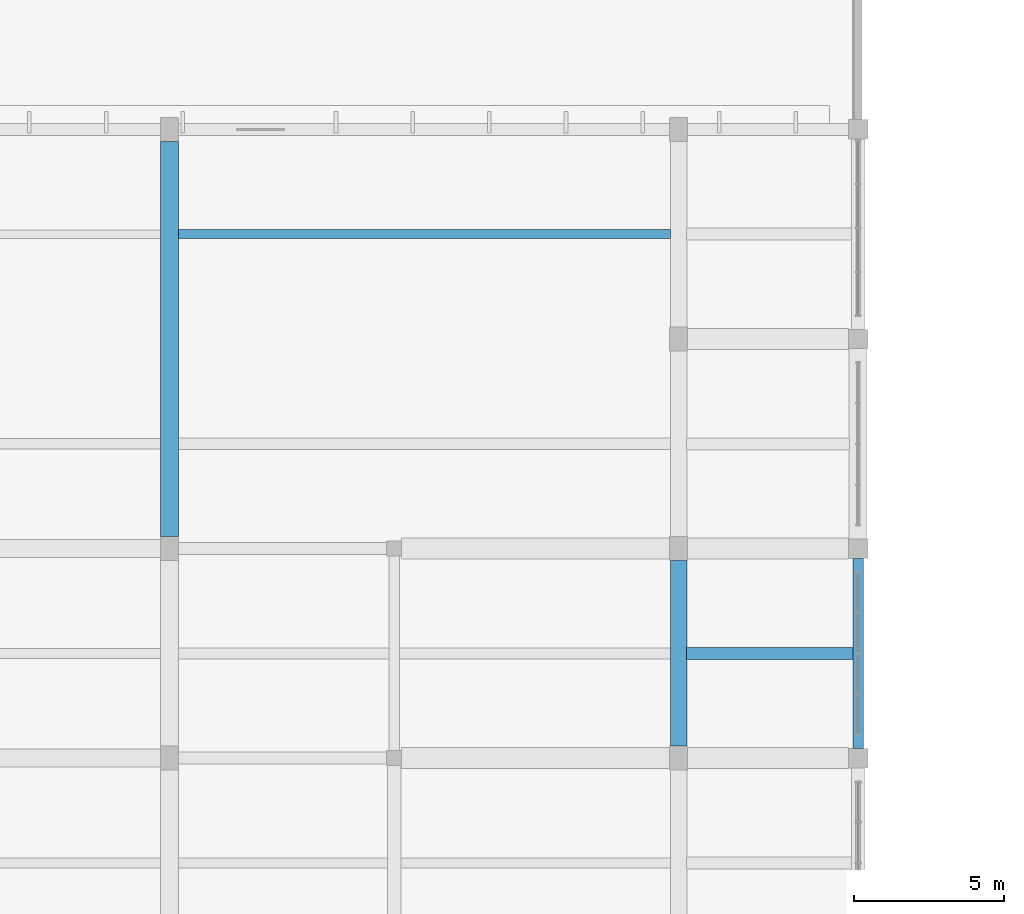
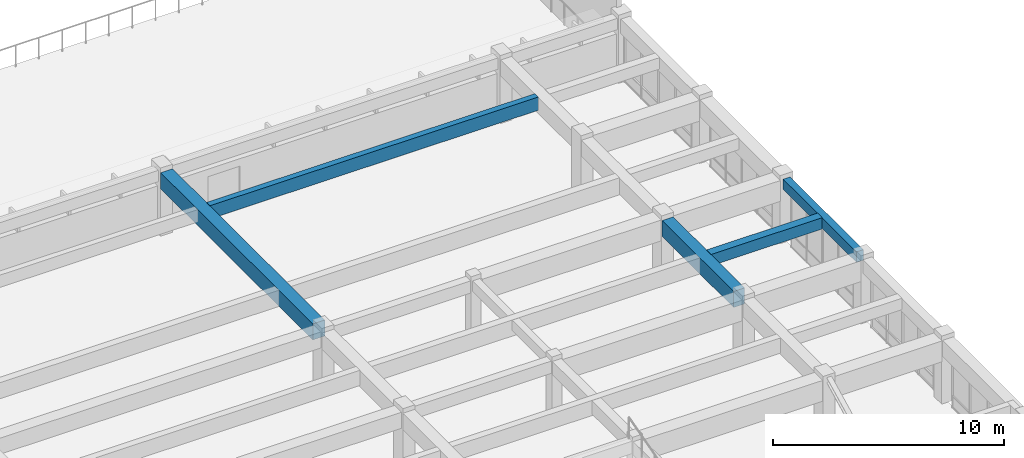
# One storey, part 42 of 77: 5 beams.
"""IFC4 building model written with IfcOpenShell, lengths in metres."""

from ifc_helpers import new_model, si_unit, direction, frame, origin, origin_2d, place, context, subcontext, project, spatial, rectangle, extrude, material, material_profile, profile_set, type_object, element, save


model = new_model("IFC4")

# Units and contexts
model_context = context("Model", 3, precision=1e-05, world=origin(), true_north=direction((0.0, 1.0)))
body_context = subcontext(model_context, "Body", "Model", "MODEL_VIEW")
ifc_project = project(units=[si_unit("LENGTHUNIT", "METRE"), si_unit("AREAUNIT", "SQUARE_METRE"), si_unit("VOLUMEUNIT", "CUBIC_METRE"), si_unit("PLANEANGLEUNIT", "RADIAN"), si_unit("MASSUNIT", "GRAM", prefix="KILO")], contexts=[model_context])

# Site, building, storey
site_placement = place(None, origin())
site = spatial("IfcSite", under=ifc_project, at=site_placement, CompositionType="ELEMENT")
building_placement = place(site_placement, origin())
building = spatial("IfcBuilding", under=site, at=building_placement, Name="Larkveld Mobility Hub", CompositionType="ELEMENT")
storey_placement = place(building_placement, frame((0.0, 0.0, 12.0)))
storey = spatial("IfcBuildingStorey", under=building, at=storey_placement, Name="L03", CompositionType="ELEMENT", Elevation=12.0)

# Beams
ifc_material_1 = material(Name="Precast concrete C50/60", Category="concrete")
ifc_material_profile_1 = material_profile(ifc_material_1, rectangle(XDim=0.300048828125, YDim=0.699951171875, at=origin_2d()), Name="PC DT 300x700")
ifc_profile_set_1 = profile_set([ifc_material_profile_1], Name="Precast concrete C50/60")
beam_type_1 = type_object("IfcBeamType", Name="BM-DT3070", PredefinedType="T_BEAM", material=ifc_profile_set_1)
beam_1_placement = place(storey_placement, frame((129.294921875, 94.5, 3.02001953125), z_axis=(1.0, 0.0, 0.0), x_axis=(0.0, 1.0, 0.0)))
element("IfcBeam", 1, at=beam_1_placement, inside=storey, type_object=beam_type_1, Name="Precast Double-Tee Stem L03-1128", PredefinedType="T_BEAM", context=body_context, shape_type="SweptSolid", body=[
    extrude(rectangle(XDim=0.300048828125, YDim=0.699951171875, at=origin_2d()), origin(), (0.0, 0.0, 1.0), 16.43505859375),
])
ifc_material_profile_2 = material_profile(ifc_material_1, rectangle(XDim=0.60009765625, YDim=0.85009765625, at=origin_2d()), Name="PC ITB 600x850")
ifc_profile_set_2 = profile_set([ifc_material_profile_2], Name="Precast concrete C50/60")
beam_type_2 = type_object("IfcBeamType", Name="BM-ITB6085", PredefinedType="T_BEAM", material=ifc_profile_set_2)
beam_2_placement = place(storey_placement, frame((129.0, 84.39990234375, 2.93505859375), z_axis=(0.0, 1.0, 0.0), x_axis=(-1.0, 0.0, 0.0)))
element("IfcBeam", 2, at=beam_2_placement, inside=storey, type_object=beam_type_2, Name="Primary N-S Girder L03-0819", PredefinedType="T_BEAM", context=body_context, shape_type="SweptSolid", body=[
    extrude(rectangle(XDim=0.60009765625, YDim=0.85009765625, at=origin_2d()), origin(), (0.0, 0.0, 1.0), 13.2001953125),
])
ifc_material_2 = material(Name="Concrete C40/50", Category="concrete")
ifc_material_profile_3 = material_profile(ifc_material_2, rectangle(XDim=0.35009765625, YDim=0.550048828125, at=origin_2d()), Name="RC BM 350x550")
ifc_profile_set_3 = profile_set([ifc_material_profile_3], Name="Concrete C40/50")
beam_type_3 = type_object("IfcBeamType", Name="BM-RC3555", PredefinedType="BEAM", material=ifc_profile_set_3)
beam_3_placement = place(storey_placement, frame((152.0, 77.324951171875, 3.0849609375), z_axis=(0.0, 1.0, 0.0), x_axis=(-1.0, 0.0, 0.0)))
element("IfcBeam", 3, at=beam_3_placement, inside=storey, type_object=beam_type_3, Name="Primary N-S Girder L03-0844", PredefinedType="BEAM", context=body_context, shape_type="SweptSolid", body=[
    extrude(rectangle(XDim=0.35009765625, YDim=0.550048828125, at=origin_2d()), origin(), (0.0, 0.0, 1.0), 6.35009765625),
])
ifc_material_profile_4 = material_profile(ifc_material_2, rectangle(XDim=0.39990234375, YDim=0.60009765625, at=origin_2d()), Name="RC BM 400x600")
ifc_profile_set_4 = profile_set([ifc_material_profile_4], Name="Concrete C40/50")
beam_type_4 = type_object("IfcBeamType", Name="BM-RC4060", PredefinedType="BEAM", material=ifc_profile_set_4)
beam_4_placement = place(storey_placement, frame((146.27001953125, 80.5, 3.070068359375), z_axis=(1.0, 0.0, 0.0), x_axis=(0.0, 1.0, 0.0)))
element("IfcBeam", 4, at=beam_4_placement, inside=storey, type_object=beam_type_4, Name="Concourse Spine Joist L03-1123", PredefinedType="BEAM", context=body_context, shape_type="SweptSolid", body=[
    extrude(rectangle(XDim=0.39990234375, YDim=0.60009765625, at=origin_2d()), origin(), (0.0, 0.0, 1.0), 5.56005859375),
])
ifc_material_profile_5 = material_profile(ifc_material_2, rectangle(XDim=0.550048828125, YDim=0.85009765625, at=origin_2d()), Name="RC BM 550x850")
ifc_profile_set_5 = profile_set([ifc_material_profile_5], Name="Concrete C40/50")
beam_type_5 = type_object("IfcBeamType", Name="BM-RC5585", PredefinedType="BEAM", material=ifc_profile_set_5)
beam_5_placement = place(storey_placement, frame((146.0, 77.39990234375, 2.93505859375), z_axis=(0.0, 1.0, 0.0), x_axis=(-1.0, 0.0, 0.0)))
element("IfcBeam", 5, at=beam_5_placement, inside=storey, type_object=beam_type_5, Name="Primary N-S Girder L03-0831", PredefinedType="BEAM", context=body_context, shape_type="SweptSolid", body=[
    extrude(rectangle(XDim=0.550048828125, YDim=0.85009765625, at=origin_2d()), origin(), (0.0, 0.0, 1.0), 6.2001953125),
])

save(model, "model.ifc")
